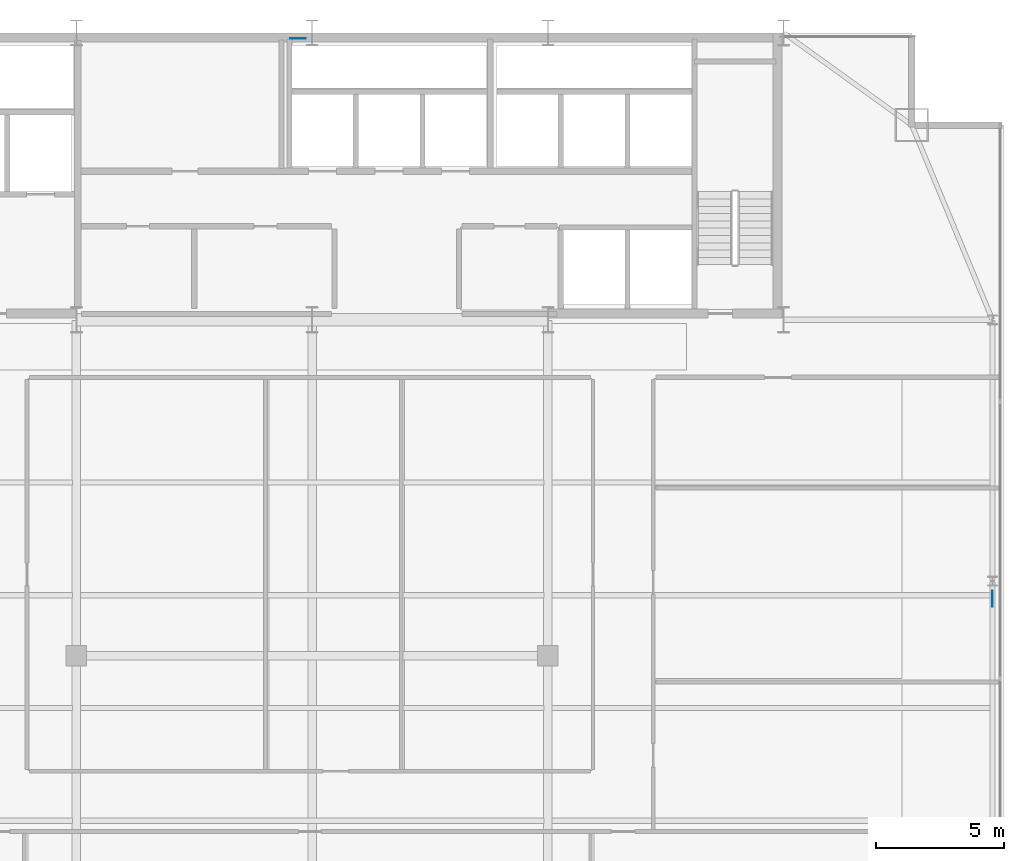
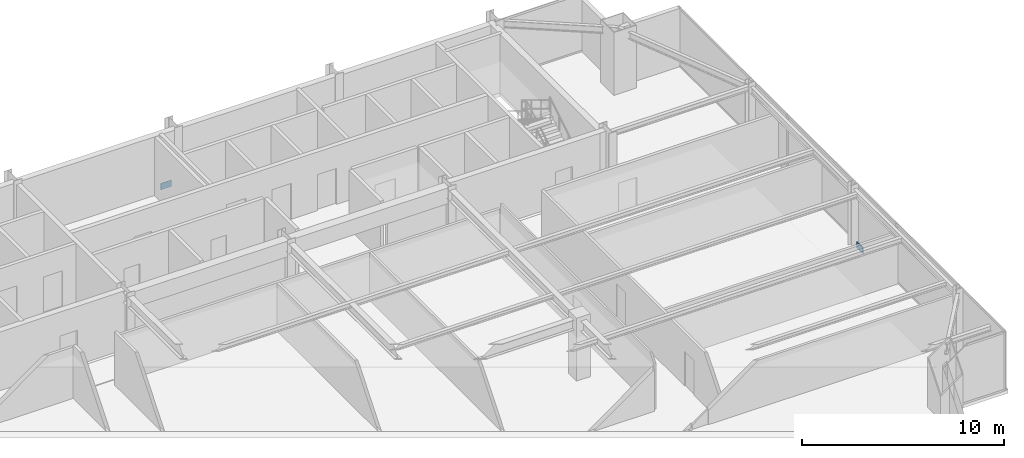
# One storey, part 26 of 31: 2 plates.
"""IFC4 building model written with IfcOpenShell, lengths in metres."""

from ifc_helpers import new_model, si_unit, direction, frame, origin, origin_2d, place, context, subcontext, project, spatial, rectangle, extrude, source, transform, mapped, material, layer, layer_set, type_object, type_shapes, element, save


model = new_model("IFC4")

# Units and contexts
model_context = context("Model", 3, precision=1e-05, world=origin(), true_north=direction((0.0, 1.0)))
body_context = subcontext(model_context, "Body", "Model", "MODEL_VIEW")
ifc_project = project(units=[si_unit("LENGTHUNIT", "METRE"), si_unit("AREAUNIT", "SQUARE_METRE"), si_unit("VOLUMEUNIT", "CUBIC_METRE"), si_unit("PLANEANGLEUNIT", "RADIAN"), si_unit("MASSUNIT", "GRAM", prefix="KILO")], contexts=[model_context])

# Site, building, storey
site_placement = place(None, origin())
site = spatial("IfcSite", under=ifc_project, at=site_placement, CompositionType="ELEMENT")
building_placement = place(site_placement, origin())
building = spatial("IfcBuilding", under=site, at=building_placement, Name="Varnel Quay Broadcast Tower", CompositionType="ELEMENT")
storey_placement = place(building_placement, frame((0.0, 0.0, 183.800048828125)))
storey = spatial("IfcBuildingStorey", under=building, at=storey_placement, Name="L45", CompositionType="ELEMENT", Elevation=183.800048828125)

# Plates
ifc_material = material(Name="Structural Steel CSA G40.21 350WT", Category="steel")
ifc_layer = layer(ifc_material, 0.031982421875, Name="Structural Steel CSA G40.21 350WT")
ifc_layer_set = layer_set([ifc_layer], Name="Structural Steel CSA G40.21 350WT")
plate_type = type_object("IfcPlateType", Name="Plate_EndCap", PredefinedType="USERDEFINED", material=ifc_layer_set)
shared_shape = source(origin(), body_context, "Body", "SweptSolid", [
    extrude(rectangle(XDim=0.6201171875, YDim=0.031982421875, at=origin_2d()), origin(), (0.0, 0.0, 1.0), 0.3798828125),
])
type_shapes(plate_type, [shared_shape])
for number, where, z_axis, x_axis, name in (
    (1, (33.446533203125, 46.580078125, 0.117431640625), (0.0, 0.0, 1.0), (1.0, 0.0, 0.0), "Zone 3 Mega-Brace N-CT3 Diag B2 End Connection Plate P0"),
    (2, (60.550048828125, 24.715576171875, 0.09228515625), (0.0, 0.0, 1.0), (0.0, 1.0, 0.0), "Zone 3 Mega-Brace E-FT3 Diag B2 End Connection Plate P0"),
):
    element("IfcPlate", number, at=place(storey_placement, frame(where, z_axis=z_axis, x_axis=x_axis)), inside=storey, type_object=plate_type, Name=name, ObjectType="CAP_PLATE", PredefinedType="USERDEFINED", context=body_context, shape_type="MappedRepresentation", body=[
        mapped(shared_shape, transform((0.0, 0.0, 0.0), x_axis=(1.0, 0.0, 0.0), y_axis=(0.0, 1.0, 0.0), z_axis=(0.0, 0.0, 1.0), scale=1.0)),
    ])

save(model, "model.ifc")
